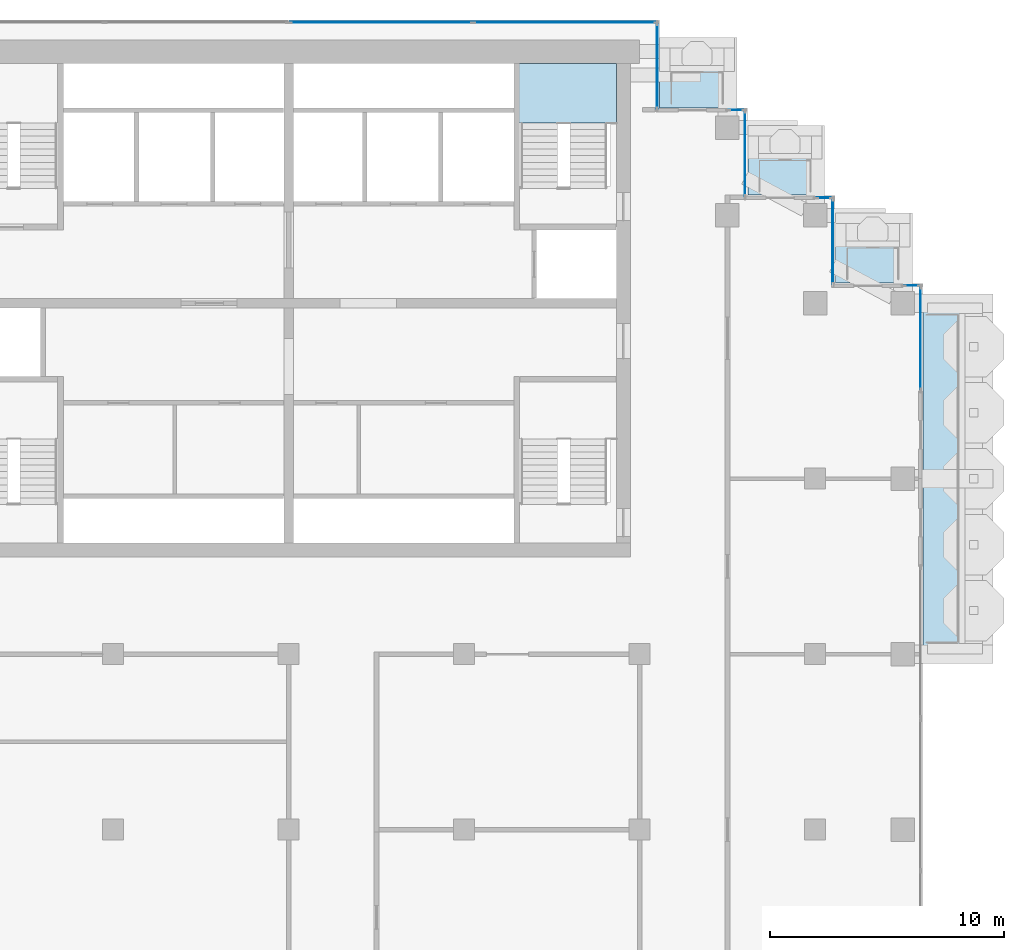
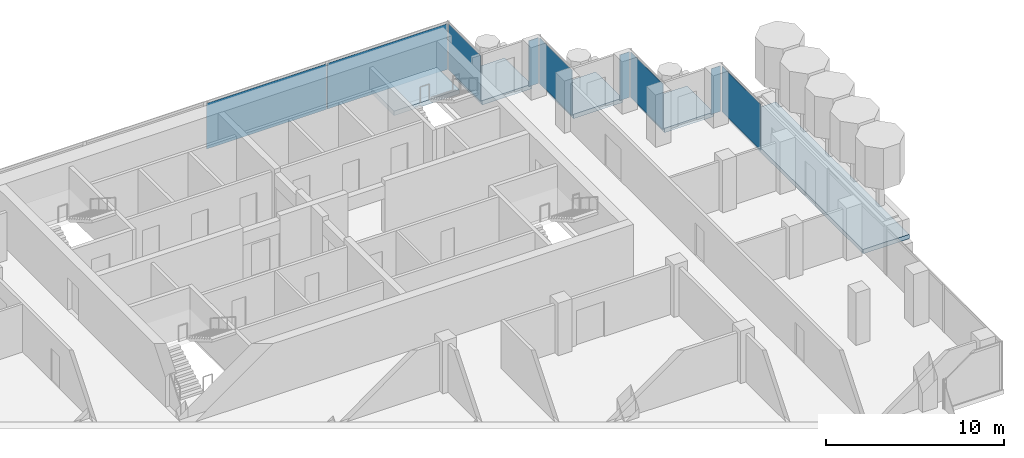
# One storey, part 10 of 18: 9 plates, 5 slabs, 9 elements without a shape of their own.
"""IFC4 building model written with IfcOpenShell, lengths in metres."""

from ifc_helpers import new_model, si_unit, direction, frame, origin, origin_2d, place, context, subcontext, project, spatial, polyline, rectangle, outline, extrude, material, layer, layer_set, type_object, element, aggregate, save


model = new_model("IFC4")

# Units and contexts
model_context = context("Model", 3, precision=1e-05, world=origin(), true_north=direction((0.0, 1.0)))
body_context = subcontext(model_context, "Body", "Model", "MODEL_VIEW")
ifc_project = project(units=[si_unit("LENGTHUNIT", "METRE"), si_unit("AREAUNIT", "SQUARE_METRE"), si_unit("VOLUMEUNIT", "CUBIC_METRE"), si_unit("PLANEANGLEUNIT", "RADIAN"), si_unit("MASSUNIT", "GRAM", prefix="KILO")], contexts=[model_context])

# Site, building, storey
site_placement = place(None, origin())
site = spatial("IfcSite", under=ifc_project, at=site_placement, CompositionType="ELEMENT")
building_placement = place(site_placement, origin())
building = spatial("IfcBuilding", under=site, at=building_placement, Name="Pilkhan Gate Tower", CompositionType="ELEMENT")
storey_placement = place(building_placement, frame((0.0, 0.0, 195.89990234375)))
storey = spatial("IfcBuildingStorey", under=building, at=storey_placement, Name="L50", CompositionType="ELEMENT", Elevation=195.89990234375)

# Slabs
ifc_material_1 = material(Name="Concrete C60/75", Category="concrete")
ifc_layer_1 = layer(ifc_material_1, 0.300048828125)
ifc_layer_set_1 = layer_set([ifc_layer_1], Name="Balcony tray slab TR300")
slab_type_1 = type_object("IfcSlabType", Name="Balcony tray slab TR300", PredefinedType="FLOOR", material=ifc_layer_set_1)
slab_1_placement = place(storey_placement, frame((0.0, 0.0, -0.2998046875)))
element("IfcSlab", 1, at=slab_1_placement, inside=storey, type_object=slab_type_1, Name="Balcony tray L50 E", PredefinedType="FLOOR", context=body_context, shape_type="SweptSolid", body=[
    extrude(outline(polyline([(105.10009765625, 67.5), (105.10009765625, 82.5), (102.10009765625, 82.5), (102.10009765625, 67.5), (105.10009765625, 67.5)])), origin(), (0.0, 0.0, 1.0), 0.2998046875),
])
slab_2_placement = place(storey_placement, frame((0.0, 0.0, -0.2998046875)))
element("IfcSlab", 2, at=slab_2_placement, inside=storey, type_object=slab_type_1, Name="Balcony tray L50 N", PredefinedType="FLOOR", context=body_context, shape_type="SweptSolid", body=[
    extrude(outline(polyline([(94.050048828125, 90.85009765625), (94.050048828125, 93.85009765625), (90.85009765625, 93.85009765625), (90.85009765625, 90.85009765625), (94.050048828125, 90.85009765625)])), origin(), (0.0, 0.0, 1.0), 0.2998046875),
])
slab_3_placement = place(storey_placement, frame((0.0, 0.0, -0.2998046875)))
element("IfcSlab", 3, at=slab_3_placement, inside=storey, type_object=slab_type_1, Name="Balcony tray L50 N", PredefinedType="FLOOR", context=body_context, shape_type="SweptSolid", body=[
    extrude(outline(polyline([(97.800048828125, 87.1201171875), (97.800048828125, 90.10009765625), (94.6201171875, 90.10009765625), (94.6201171875, 87.1201171875), (97.800048828125, 87.1201171875)])), origin(), (0.0, 0.0, 1.0), 0.2998046875),
])
slab_4_placement = place(storey_placement, frame((0.0, 0.0, -0.2998046875)))
element("IfcSlab", 4, at=slab_4_placement, inside=storey, type_object=slab_type_1, Name="Balcony tray L50 N", PredefinedType="FLOOR", context=body_context, shape_type="SweptSolid", body=[
    extrude(outline(polyline([(101.550048828125, 83.3701171875), (101.550048828125, 86.35009765625), (98.3701171875, 86.35009765625), (98.3701171875, 83.3701171875), (101.550048828125, 83.3701171875)])), origin(), (0.0, 0.0, 1.0), 0.2998046875),
])

# Curtain wall, plate
ifc_material_2 = material(Name="Pale anodised aluminium, clear low-iron double glazing", Category="aluminium")
curtain_wall_type = type_object("IfcCurtainWallType", Name="Office unitised curtain wall CW-O2", PredefinedType="USERDEFINED", material=ifc_material_2)
curtain_wall_1_placement = place(storey_placement, origin())
curtain_wall_1 = element("IfcCurtainWall", 5, at=curtain_wall_1_placement, inside=storey, type_object=curtain_wall_type, Name="Office unitised curtain wall CW-O2 L50 E", ObjectType="UNITISED CURTAIN WALL", PredefinedType="USERDEFINED")
ifc_material_3 = material(Name="Clear low-iron double glazing", Category="glass")
ifc_layer_2 = layer(ifc_material_3, 0.031982421875)
ifc_layer_set_2 = layer_set([ifc_layer_2], Name="Glass panel CW-O2 32")
plate_type = type_object("IfcPlateType", Name="Glass panel CW-O2 32", PredefinedType="CURTAIN_PANEL", material=ifc_layer_set_2)
plate_1_placement = place(storey_placement, frame((102.0, 81.0, 0.0), z_axis=(0.0, 0.0, 1.0), x_axis=(0.0, 1.0, 0.0)))
plate_1 = element("IfcPlate", 6, at=plate_1_placement, type_object=plate_type, Name="CW-O2 panel 1", PredefinedType="CURTAIN_PANEL", context=body_context, shape_type="SweptSolid", body=[
    extrude(rectangle(XDim=4.3701171875, YDim=0.031982421875, at=origin_2d()), origin(), (0.0, 0.0, 1.0), 3.135009765625),
])
aggregate(curtain_wall_1, [plate_1])

curtain_wall_2_placement = place(storey_placement, origin())
curtain_wall_2 = element("IfcCurtainWall", 7, at=curtain_wall_2_placement, inside=storey, type_object=curtain_wall_type, Name="Office unitised curtain wall CW-O2 L50 N", ObjectType="UNITISED CURTAIN WALL", PredefinedType="USERDEFINED")
plate_2_placement = place(storey_placement, frame((101.625, 83.25, 0.0), z_axis=(0.0, 0.0, 1.0), x_axis=(1.0, 0.0, 0.0)))
plate_2 = element("IfcPlate", 8, at=plate_2_placement, type_object=plate_type, Name="CW-O2 panel 1", PredefinedType="CURTAIN_PANEL", context=body_context, shape_type="SweptSolid", body=[
    extrude(rectangle(XDim=0.6201171875, YDim=0.031982421875, at=origin_2d()), origin(), (0.0, 0.0, 1.0), 3.135009765625),
])
aggregate(curtain_wall_2, [plate_2])

curtain_wall_3_placement = place(storey_placement, origin())
curtain_wall_3 = element("IfcCurtainWall", 9, at=curtain_wall_3_placement, inside=storey, type_object=curtain_wall_type, Name="Office unitised curtain wall CW-O2 L50 E", ObjectType="UNITISED CURTAIN WALL", PredefinedType="USERDEFINED")
plate_3_placement = place(storey_placement, frame((98.25, 85.125, 0.0), z_axis=(0.0, 0.0, 1.0), x_axis=(0.0, 1.0, 0.0)))
plate_3 = element("IfcPlate", 10, at=plate_3_placement, type_object=plate_type, Name="CW-O2 panel 1", PredefinedType="CURTAIN_PANEL", context=body_context, shape_type="SweptSolid", body=[
    extrude(rectangle(XDim=3.6201171875, YDim=0.031982421875, at=origin_2d()), origin(), (0.0, 0.0, 1.0), 3.135009765625),
])
aggregate(curtain_wall_3, [plate_3])

curtain_wall_4_placement = place(storey_placement, origin())
curtain_wall_4 = element("IfcCurtainWall", 11, at=curtain_wall_4_placement, inside=storey, type_object=curtain_wall_type, Name="Office unitised curtain wall CW-O2 L50 N", ObjectType="UNITISED CURTAIN WALL", PredefinedType="USERDEFINED")
plate_4_placement = place(storey_placement, frame((97.875, 87.0, 0.0), z_axis=(0.0, 0.0, 1.0), x_axis=(1.0, 0.0, 0.0)))
plate_4 = element("IfcPlate", 12, at=plate_4_placement, type_object=plate_type, Name="CW-O2 panel 1", PredefinedType="CURTAIN_PANEL", context=body_context, shape_type="SweptSolid", body=[
    extrude(rectangle(XDim=0.6201171875, YDim=0.031982421875, at=origin_2d()), origin(), (0.0, 0.0, 1.0), 3.135009765625),
])
aggregate(curtain_wall_4, [plate_4])

curtain_wall_5_placement = place(storey_placement, origin())
curtain_wall_5 = element("IfcCurtainWall", 13, at=curtain_wall_5_placement, inside=storey, type_object=curtain_wall_type, Name="Office unitised curtain wall CW-O2 L50 E", ObjectType="UNITISED CURTAIN WALL", PredefinedType="USERDEFINED")
plate_5_placement = place(storey_placement, frame((94.5, 88.875, 0.0), z_axis=(0.0, 0.0, 1.0), x_axis=(0.0, 1.0, 0.0)))
plate_5 = element("IfcPlate", 14, at=plate_5_placement, type_object=plate_type, Name="CW-O2 panel 1", PredefinedType="CURTAIN_PANEL", context=body_context, shape_type="SweptSolid", body=[
    extrude(rectangle(XDim=3.6201171875, YDim=0.031982421875, at=origin_2d()), origin(), (0.0, 0.0, 1.0), 3.135009765625),
])
aggregate(curtain_wall_5, [plate_5])

curtain_wall_6_placement = place(storey_placement, origin())
curtain_wall_6 = element("IfcCurtainWall", 15, at=curtain_wall_6_placement, inside=storey, type_object=curtain_wall_type, Name="Office unitised curtain wall CW-O2 L50 N", ObjectType="UNITISED CURTAIN WALL", PredefinedType="USERDEFINED")
plate_6_placement = place(storey_placement, frame((94.125, 90.75, 0.0), z_axis=(0.0, 0.0, 1.0), x_axis=(1.0, 0.0, 0.0)))
plate_6 = element("IfcPlate", 16, at=plate_6_placement, type_object=plate_type, Name="CW-O2 panel 1", PredefinedType="CURTAIN_PANEL", context=body_context, shape_type="SweptSolid", body=[
    extrude(rectangle(XDim=0.6201171875, YDim=0.031982421875, at=origin_2d()), origin(), (0.0, 0.0, 1.0), 3.135009765625),
])
aggregate(curtain_wall_6, [plate_6])

curtain_wall_7_placement = place(storey_placement, origin())
curtain_wall_7 = element("IfcCurtainWall", 17, at=curtain_wall_7_placement, inside=storey, type_object=curtain_wall_type, Name="Office unitised curtain wall CW-O2 L50 E", ObjectType="UNITISED CURTAIN WALL", PredefinedType="USERDEFINED")
plate_7_placement = place(storey_placement, frame((90.75, 92.625, 0.0), z_axis=(0.0, 0.0, 1.0), x_axis=(0.0, 1.0, 0.0)))
plate_7 = element("IfcPlate", 18, at=plate_7_placement, type_object=plate_type, Name="CW-O2 panel 1", PredefinedType="CURTAIN_PANEL", context=body_context, shape_type="SweptSolid", body=[
    extrude(rectangle(XDim=3.6201171875, YDim=0.031982421875, at=origin_2d()), origin(), (0.0, 0.0, 1.0), 3.135009765625),
])
aggregate(curtain_wall_7, [plate_7])

# Curtain wall, plates
curtain_wall_8_placement = place(storey_placement, origin())
curtain_wall_8 = element("IfcCurtainWall", 19, at=curtain_wall_8_placement, inside=storey, type_object=curtain_wall_type, Name="Office unitised curtain wall CW-O2 L50 N", ObjectType="UNITISED CURTAIN WALL", PredefinedType="USERDEFINED")
plate_8_placement = place(storey_placement, frame((78.953857421875, 94.5, 0.0), z_axis=(0.0, 0.0, 1.0), x_axis=(1.0, 0.0, 0.0)))
plate_8 = element("IfcPlate", 20, at=plate_8_placement, type_object=plate_type, Name="CW-O2 panel 1", PredefinedType="CURTAIN_PANEL", context=body_context, shape_type="SweptSolid", body=[
    extrude(rectangle(XDim=7.777587890625, YDim=0.031982421875, at=origin_2d()), origin(), (0.0, 0.0, 1.0), 3.135009765625),
])
plate_9_placement = place(storey_placement, frame((86.796142578125, 94.5, 0.0), z_axis=(0.0, 0.0, 1.0), x_axis=(1.0, 0.0, 0.0)))
plate_9 = element("IfcPlate", 21, at=plate_9_placement, type_object=plate_type, Name="CW-O2 panel 2", PredefinedType="CURTAIN_PANEL", context=body_context, shape_type="SweptSolid", body=[
    extrude(rectangle(XDim=7.777587890625, YDim=0.031982421875, at=origin_2d()), origin(), (0.0, 0.0, 1.0), 3.135009765625),
])
aggregate(curtain_wall_8, [plate_8, plate_9])

# Stair, slab
ifc_material_4 = material(Name="Concrete C40/50 precast", Category="concrete")
stair_type = type_object("IfcStairType", Name="Stair ST4 164x280", PredefinedType="HALF_TURN_STAIR", material=ifc_material_4)
stair_placement = place(storey_placement, origin())
stair = element("IfcStair", 22, at=stair_placement, inside=storey, type_object=stair_type, Name="Stair ST4 L50", PredefinedType="HALF_TURN_STAIR")
ifc_material_5 = material(Name="Concrete C40/50", Category="concrete")
ifc_layer_3 = layer(ifc_material_5, 0.199951171875)
ifc_layer_set_3 = layer_set([ifc_layer_3], Name="Stair landing SL200")
slab_type_2 = type_object("IfcSlabType", Name="Stair landing SL200", PredefinedType="LANDING", material=ifc_layer_set_3)
slab_5_placement = place(storey_placement, frame((0.0, 0.0, 1.5)))
slab_5 = element("IfcSlab", 23, at=slab_5_placement, type_object=slab_type_2, Name="ST4 landing 1", PredefinedType="LANDING", context=body_context, shape_type="SweptSolid", body=[
    extrude(outline(polyline([(89.0, 90.199951171875), (89.0, 92.75), (84.75, 92.75), (84.75, 90.199951171875), (89.0, 90.199951171875)])), origin(), (0.0, 0.0, 1.0), 0.300048828125),
])
aggregate(stair, [slab_5])

save(model, "model.ifc")
